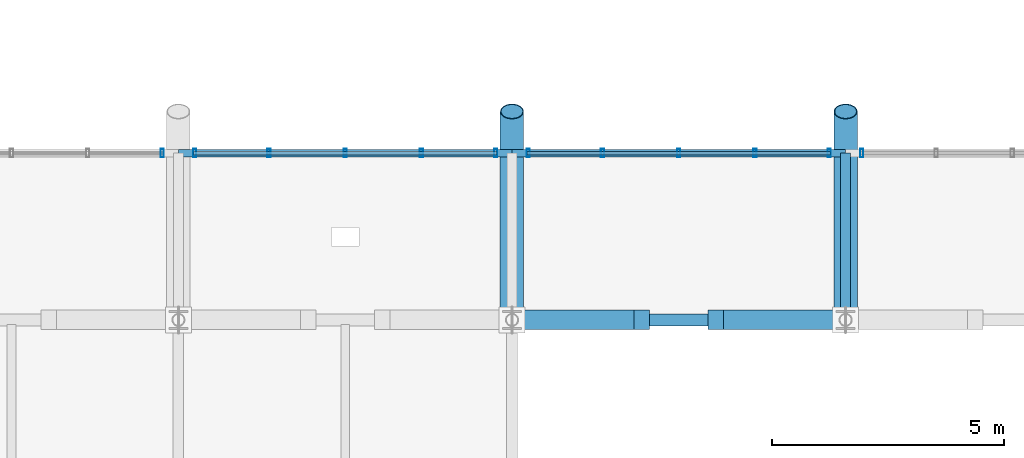
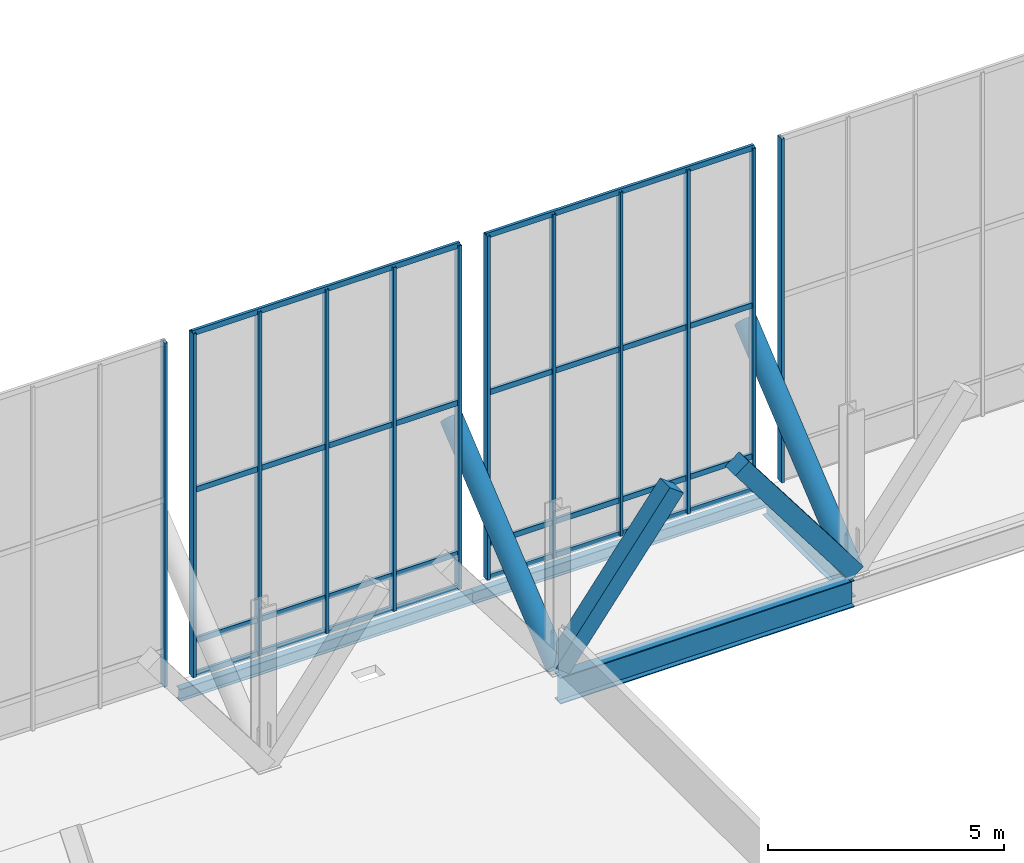
# One storey, part 27 of 102: 24 members, 4 beams, 4 elements without a shape of their own.
"""IFC4 building model written with IfcOpenShell, lengths in metres."""

from ifc_helpers import new_model, si_unit, direction, frame, origin, origin_2d, place, context, subcontext, project, spatial, rectangle, hollow_rectangle, hollow_circle, i_section, extrude, material, material_profile, profile_set, type_object, element, aggregate, save


model = new_model("IFC4")

# Units and contexts
model_context = context("Model", 3, precision=1e-05, world=origin(), true_north=direction((0.0, 1.0)))
body_context = subcontext(model_context, "Body", "Model", "MODEL_VIEW")
ifc_project = project(units=[si_unit("LENGTHUNIT", "METRE"), si_unit("AREAUNIT", "SQUARE_METRE"), si_unit("VOLUMEUNIT", "CUBIC_METRE"), si_unit("PLANEANGLEUNIT", "RADIAN"), si_unit("MASSUNIT", "GRAM", prefix="KILO")], contexts=[model_context])

# Site, building, storey
site_placement = place(None, origin())
site = spatial("IfcSite", under=ifc_project, at=site_placement, CompositionType="ELEMENT")
building_placement = place(site_placement, origin())
building = spatial("IfcBuilding", under=site, at=building_placement, Name="Yarey Park Central Fire Station", CompositionType="ELEMENT")
storey_placement = place(building_placement, frame((0.0, 0.0, 6.0)))
storey = spatial("IfcBuildingStorey", under=building, at=storey_placement, Name="L02", CompositionType="ELEMENT", Elevation=6.0)

# Curtain wall, member
ifc_material_1 = material(Name="Anodized Aluminium Frame", Category="aluminium")
curtain_wall_type = type_object("IfcCurtainWallType", Name="ENV_CW_CLER_9M", PredefinedType="NOTDEFINED", material=ifc_material_1)
curtain_wall_1_placement = place(storey_placement, origin())
curtain_wall_1 = element("IfcCurtainWall", 1, at=curtain_wall_1_placement, inside=storey, type_object=curtain_wall_type, Name="CW_V2_CLER_S_01", PredefinedType="NOTDEFINED")
ifc_material_profile_1 = material_profile(ifc_material_1, hollow_rectangle(XDim=0.070068359375, YDim=0.179931640625, WallThickness=0.00390625, at=origin_2d()), Name="ALU 180x70x4")
ifc_profile_set_1 = profile_set([ifc_material_profile_1], Name="Anodized Aluminium Frame")
member_type_1 = type_object("IfcMemberType", Name="ENV_CW_MULLION", PredefinedType="MULLION", material=ifc_profile_set_1)
member_1_placement = place(storey_placement, frame((64.449951171875, 61.199951171875, 0.0), z_axis=(0.0, 0.0, 1.0), x_axis=(1.0, 0.0, 0.0)))
member_1 = element("IfcMember", 2, at=member_1_placement, type_object=member_type_1, Name="CW_V2_CLER_S_01_MUL5", PredefinedType="MULLION", context=body_context, shape_type="SweptSolid", body=[
    extrude(hollow_rectangle(XDim=0.070068359375, YDim=0.179931640625, WallThickness=0.00390625, at=origin_2d()), origin(), (0.0, 0.0, 1.0), 8.89990234375),
])
aggregate(curtain_wall_1, [member_1])

# Curtain wall, members
curtain_wall_2_placement = place(storey_placement, origin())
curtain_wall_2 = element("IfcCurtainWall", 3, at=curtain_wall_2_placement, inside=storey, type_object=curtain_wall_type, Name="CW_V2_CLER_S_02", PredefinedType="NOTDEFINED")
member_2_placement = place(storey_placement, frame((65.14990234375, 61.199951171875, 0.0), z_axis=(0.0, 0.0, 1.0), x_axis=(1.0, 0.0, 0.0)))
member_2 = element("IfcMember", 4, at=member_2_placement, type_object=member_type_1, Name="CW_V2_CLER_S_02_MUL1", PredefinedType="MULLION", context=body_context, shape_type="SweptSolid", body=[
    extrude(hollow_rectangle(XDim=0.070068359375, YDim=0.179931640625, WallThickness=0.00390625, at=origin_2d()), origin(), (0.0, 0.0, 1.0), 8.89990234375),
])
member_3_placement = place(storey_placement, frame((66.7548828125, 61.199951171875, 0.0), z_axis=(0.0, 0.0, 1.0), x_axis=(1.0, 0.0, 0.0)))
member_3 = element("IfcMember", 5, at=member_3_placement, type_object=member_type_1, Name="CW_V2_CLER_S_02_MUL2", PredefinedType="MULLION", context=body_context, shape_type="SweptSolid", body=[
    extrude(hollow_rectangle(XDim=0.070068359375, YDim=0.179931640625, WallThickness=0.00390625, at=origin_2d()), origin(), (0.0, 0.0, 1.0), 8.89990234375),
])
member_4_placement = place(storey_placement, frame((68.39990234375, 61.199951171875, 0.0), z_axis=(0.0, 0.0, 1.0), x_axis=(1.0, 0.0, 0.0)))
member_4 = element("IfcMember", 6, at=member_4_placement, type_object=member_type_1, Name="CW_V2_CLER_S_02_MUL3", PredefinedType="MULLION", context=body_context, shape_type="SweptSolid", body=[
    extrude(hollow_rectangle(XDim=0.070068359375, YDim=0.179931640625, WallThickness=0.00390625, at=origin_2d()), origin(), (0.0, 0.0, 1.0), 8.89990234375),
])
member_5_placement = place(storey_placement, frame((70.044921875, 61.199951171875, 0.0), z_axis=(0.0, 0.0, 1.0), x_axis=(1.0, 0.0, 0.0)))
member_5 = element("IfcMember", 7, at=member_5_placement, type_object=member_type_1, Name="CW_V2_CLER_S_02_MUL4", PredefinedType="MULLION", context=body_context, shape_type="SweptSolid", body=[
    extrude(hollow_rectangle(XDim=0.070068359375, YDim=0.179931640625, WallThickness=0.00390625, at=origin_2d()), origin(), (0.0, 0.0, 1.0), 8.89990234375),
])
member_6_placement = place(storey_placement, frame((71.64990234375, 61.199951171875, 0.0), z_axis=(0.0, 0.0, 1.0), x_axis=(1.0, 0.0, 0.0)))
member_6 = element("IfcMember", 8, at=member_6_placement, type_object=member_type_1, Name="CW_V2_CLER_S_02_MUL5", PredefinedType="MULLION", context=body_context, shape_type="SweptSolid", body=[
    extrude(hollow_rectangle(XDim=0.070068359375, YDim=0.179931640625, WallThickness=0.00390625, at=origin_2d()), origin(), (0.0, 0.0, 1.0), 8.89990234375),
])

curtain_wall_3_placement = place(storey_placement, origin())
curtain_wall_3 = element("IfcCurtainWall", 9, at=curtain_wall_3_placement, inside=storey, type_object=curtain_wall_type, Name="CW_V2_CLER_S_03", PredefinedType="NOTDEFINED")
member_7_placement = place(storey_placement, frame((72.35009765625, 61.199951171875, 0.0), z_axis=(0.0, 0.0, 1.0), x_axis=(1.0, 0.0, 0.0)))
member_7 = element("IfcMember", 10, at=member_7_placement, type_object=member_type_1, Name="CW_V2_CLER_S_03_MUL1", PredefinedType="MULLION", context=body_context, shape_type="SweptSolid", body=[
    extrude(hollow_rectangle(XDim=0.070068359375, YDim=0.179931640625, WallThickness=0.00390625, at=origin_2d()), origin(), (0.0, 0.0, 1.0), 8.89990234375),
])
member_8_placement = place(storey_placement, frame((73.955078125, 61.199951171875, 0.0), z_axis=(0.0, 0.0, 1.0), x_axis=(1.0, 0.0, 0.0)))
member_8 = element("IfcMember", 11, at=member_8_placement, type_object=member_type_1, Name="CW_V2_CLER_S_03_MUL2", PredefinedType="MULLION", context=body_context, shape_type="SweptSolid", body=[
    extrude(hollow_rectangle(XDim=0.070068359375, YDim=0.179931640625, WallThickness=0.00390625, at=origin_2d()), origin(), (0.0, 0.0, 1.0), 8.89990234375),
])
member_9_placement = place(storey_placement, frame((75.60009765625, 61.199951171875, 0.0), z_axis=(0.0, 0.0, 1.0), x_axis=(1.0, 0.0, 0.0)))
member_9 = element("IfcMember", 12, at=member_9_placement, type_object=member_type_1, Name="CW_V2_CLER_S_03_MUL3", PredefinedType="MULLION", context=body_context, shape_type="SweptSolid", body=[
    extrude(hollow_rectangle(XDim=0.070068359375, YDim=0.179931640625, WallThickness=0.00390625, at=origin_2d()), origin(), (0.0, 0.0, 1.0), 8.89990234375),
])
member_10_placement = place(storey_placement, frame((77.2451171875, 61.199951171875, 0.0), z_axis=(0.0, 0.0, 1.0), x_axis=(1.0, 0.0, 0.0)))
member_10 = element("IfcMember", 13, at=member_10_placement, type_object=member_type_1, Name="CW_V2_CLER_S_03_MUL4", PredefinedType="MULLION", context=body_context, shape_type="SweptSolid", body=[
    extrude(hollow_rectangle(XDim=0.070068359375, YDim=0.179931640625, WallThickness=0.00390625, at=origin_2d()), origin(), (0.0, 0.0, 1.0), 8.89990234375),
])
member_11_placement = place(storey_placement, frame((78.85009765625, 61.199951171875, 0.0), z_axis=(0.0, 0.0, 1.0), x_axis=(1.0, 0.0, 0.0)))
member_11 = element("IfcMember", 14, at=member_11_placement, type_object=member_type_1, Name="CW_V2_CLER_S_03_MUL5", PredefinedType="MULLION", context=body_context, shape_type="SweptSolid", body=[
    extrude(hollow_rectangle(XDim=0.070068359375, YDim=0.179931640625, WallThickness=0.00390625, at=origin_2d()), origin(), (0.0, 0.0, 1.0), 8.89990234375),
])

# Curtain wall, member
curtain_wall_4_placement = place(storey_placement, origin())
curtain_wall_4 = element("IfcCurtainWall", 15, at=curtain_wall_4_placement, inside=storey, type_object=curtain_wall_type, Name="CW_V2_CLER_S_04", PredefinedType="NOTDEFINED")
member_12_placement = place(storey_placement, frame((79.550048828125, 61.199951171875, 0.0), z_axis=(0.0, 0.0, 1.0), x_axis=(1.0, 0.0, 0.0)))
member_12 = element("IfcMember", 16, at=member_12_placement, type_object=member_type_1, Name="CW_V2_CLER_S_04_MUL1", PredefinedType="MULLION", context=body_context, shape_type="SweptSolid", body=[
    extrude(hollow_rectangle(XDim=0.070068359375, YDim=0.179931640625, WallThickness=0.00390625, at=origin_2d()), origin(), (0.0, 0.0, 1.0), 8.89990234375),
])
aggregate(curtain_wall_4, [member_12])

# Member
ifc_material_profile_2 = material_profile(ifc_material_1, hollow_rectangle(XDim=0.070068359375, YDim=0.139892578125, WallThickness=0.00390625, at=origin_2d()), Name="ALU 140x70x4")
ifc_profile_set_2 = profile_set([ifc_material_profile_2], Name="Anodized Aluminium Frame")
member_type_2 = type_object("IfcMemberType", Name="ENV_CW_TRANSOM", PredefinedType="USERDEFINED", material=ifc_profile_set_2)
member_13_placement = place(storey_placement, frame((65.125, 61.199951171875, 0.02490234375), z_axis=(1.0, 0.0, 0.0), x_axis=(0.0, 1.0, 0.0)))
member_13 = element("IfcMember", 17, at=member_13_placement, type_object=member_type_2, Name="CW_V2_CLER_S_02_TRN1", ObjectType="TRANSOM", PredefinedType="USERDEFINED", context=body_context, shape_type="SweptSolid", body=[
    extrude(hollow_rectangle(XDim=0.070068359375, YDim=0.139892578125, WallThickness=0.00390625, at=origin_2d()), origin(), (0.0, 0.0, 1.0), 6.550048828125),
])

member_14_placement = place(storey_placement, frame((65.125, 61.199951171875, 0.89990234375), z_axis=(1.0, 0.0, 0.0), x_axis=(0.0, 1.0, 0.0)))
member_14 = element("IfcMember", 18, at=member_14_placement, type_object=member_type_2, Name="CW_V2_CLER_S_02_TRN2", ObjectType="TRANSOM", PredefinedType="USERDEFINED", context=body_context, shape_type="SweptSolid", body=[
    extrude(hollow_rectangle(XDim=0.070068359375, YDim=0.139892578125, WallThickness=0.00390625, at=origin_2d()), origin(), (0.0, 0.0, 1.0), 6.550048828125),
])

member_15_placement = place(storey_placement, frame((65.125, 61.199951171875, 4.805908203125), z_axis=(1.0, 0.0, 0.0), x_axis=(0.0, 1.0, 0.0)))
member_15 = element("IfcMember", 19, at=member_15_placement, type_object=member_type_2, Name="CW_V2_CLER_S_02_TRN3", ObjectType="TRANSOM", PredefinedType="USERDEFINED", context=body_context, shape_type="SweptSolid", body=[
    extrude(hollow_rectangle(XDim=0.070068359375, YDim=0.139892578125, WallThickness=0.00390625, at=origin_2d()), origin(), (0.0, 0.0, 1.0), 6.550048828125),
])

member_16_placement = place(storey_placement, frame((65.125, 61.199951171875, 8.875), z_axis=(1.0, 0.0, 0.0), x_axis=(0.0, 1.0, 0.0)))
member_16 = element("IfcMember", 20, at=member_16_placement, type_object=member_type_2, Name="CW_V2_CLER_S_02_TRN4", ObjectType="TRANSOM", PredefinedType="USERDEFINED", context=body_context, shape_type="SweptSolid", body=[
    extrude(hollow_rectangle(XDim=0.070068359375, YDim=0.139892578125, WallThickness=0.00390625, at=origin_2d()), origin(), (0.0, 0.0, 1.0), 6.550048828125),
])

aggregate(curtain_wall_2, [member_2, member_3, member_4, member_5, member_6, member_13, member_14, member_15, member_16])

member_17_placement = place(storey_placement, frame((72.324951171875, 61.199951171875, 0.02490234375), z_axis=(1.0, 0.0, 0.0), x_axis=(0.0, 1.0, 0.0)))
member_17 = element("IfcMember", 21, at=member_17_placement, type_object=member_type_2, Name="CW_V2_CLER_S_03_TRN1", ObjectType="TRANSOM", PredefinedType="USERDEFINED", context=body_context, shape_type="SweptSolid", body=[
    extrude(hollow_rectangle(XDim=0.070068359375, YDim=0.139892578125, WallThickness=0.00390625, at=origin_2d()), origin(), (0.0, 0.0, 1.0), 6.550048828125),
])

member_18_placement = place(storey_placement, frame((72.324951171875, 61.199951171875, 0.89990234375), z_axis=(1.0, 0.0, 0.0), x_axis=(0.0, 1.0, 0.0)))
member_18 = element("IfcMember", 22, at=member_18_placement, type_object=member_type_2, Name="CW_V2_CLER_S_03_TRN2", ObjectType="TRANSOM", PredefinedType="USERDEFINED", context=body_context, shape_type="SweptSolid", body=[
    extrude(hollow_rectangle(XDim=0.070068359375, YDim=0.139892578125, WallThickness=0.00390625, at=origin_2d()), origin(), (0.0, 0.0, 1.0), 6.550048828125),
])

member_19_placement = place(storey_placement, frame((72.324951171875, 61.199951171875, 4.805908203125), z_axis=(1.0, 0.0, 0.0), x_axis=(0.0, 1.0, 0.0)))
member_19 = element("IfcMember", 23, at=member_19_placement, type_object=member_type_2, Name="CW_V2_CLER_S_03_TRN3", ObjectType="TRANSOM", PredefinedType="USERDEFINED", context=body_context, shape_type="SweptSolid", body=[
    extrude(hollow_rectangle(XDim=0.070068359375, YDim=0.139892578125, WallThickness=0.00390625, at=origin_2d()), origin(), (0.0, 0.0, 1.0), 6.550048828125),
])

member_20_placement = place(storey_placement, frame((72.324951171875, 61.199951171875, 8.875), z_axis=(1.0, 0.0, 0.0), x_axis=(0.0, 1.0, 0.0)))
member_20 = element("IfcMember", 24, at=member_20_placement, type_object=member_type_2, Name="CW_V2_CLER_S_03_TRN4", ObjectType="TRANSOM", PredefinedType="USERDEFINED", context=body_context, shape_type="SweptSolid", body=[
    extrude(hollow_rectangle(XDim=0.070068359375, YDim=0.139892578125, WallThickness=0.00390625, at=origin_2d()), origin(), (0.0, 0.0, 1.0), 6.550048828125),
])

aggregate(curtain_wall_3, [member_7, member_8, member_9, member_10, member_11, member_17, member_18, member_19, member_20])

# Beams
ifc_material_2 = material(Name="Steel ASTM A992 Gr. 50", Category="steel")
ifc_material_profile_3 = material_profile(ifc_material_2, i_section(OverallWidth=0.208984375, OverallDepth=0.532958984375, WebThickness=0.01025390625, FlangeThickness=0.015625, at=origin_2d()), Name="W530x92")
ifc_profile_set_3 = profile_set([ifc_material_profile_3], Name="Steel ASTM A992 Gr. 50")
beam_type_1 = type_object("IfcBeamType", Name="STR_BM_W530", PredefinedType="BEAM", material=ifc_profile_set_3)
beam_1_placement = place(storey_placement, frame((79.199951171875, 57.60009765625, -0.46142578125), z_axis=(0.0, 1.0, 0.0), x_axis=(-1.0, 0.0, 0.0)))
element("IfcBeam", 25, at=beam_1_placement, inside=storey, type_object=beam_type_1, Name="EAVE RIB S 03", PredefinedType="BEAM", context=body_context, shape_type="SweptSolid", body=[
    extrude(i_section(OverallWidth=0.208984375, OverallDepth=0.532958984375, WebThickness=0.01025390625, FlangeThickness=0.015625, at=origin_2d()), origin(), (0.0, 0.0, 1.0), 3.599853515625),
])
ifc_material_profile_4 = material_profile(ifc_material_2, i_section(OverallWidth=0.256103515625, OverallDepth=0.693115234375, WebThickness=0.014404296875, FlangeThickness=0.023681640625, at=origin_2d()), Name="W690x170")
ifc_profile_set_4 = profile_set([ifc_material_profile_4], Name="Steel ASTM A992 Gr. 50")
beam_type_2 = type_object("IfcBeamType", Name="STR_BM_W690", PredefinedType="BEAM", material=ifc_profile_set_4)
beam_2_placement = place(storey_placement, frame((72.0, 57.60009765625, -0.54150390625), z_axis=(1.0, 0.0, 0.0), x_axis=(0.0, 1.0, 0.0)))
element("IfcBeam", 26, at=beam_2_placement, inside=storey, type_object=beam_type_2, Name="BMX L02 Y576 X720", PredefinedType="BEAM", context=body_context, shape_type="SweptSolid", body=[
    extrude(i_section(OverallWidth=0.256103515625, OverallDepth=0.693115234375, WebThickness=0.014404296875, FlangeThickness=0.023681640625, at=origin_2d()), origin(), (0.0, 0.0, 1.0), 7.199951171875),
])

# Members
ifc_material_3 = material(Name="Steel ASTM A500 Gr. C", Category="steel")
ifc_material_profile_5 = material_profile(ifc_material_3, hollow_circle(Radius=0.25390625, WallThickness=0.02001953125, at=origin_2d()), Name="CHS 508x20")
ifc_profile_set_5 = profile_set([ifc_material_profile_5], Name="Steel ASTM A500 Gr. C")
member_type_3 = type_object("IfcMemberType", Name="STR_CHORD_CHS508", PredefinedType="CHORD", material=ifc_profile_set_5)
for number, where, z_axis, x_axis, name in (
    (27, (72.0, 57.60009765625, 0.0), (0.0, 0.770847459396, 0.637019775473), (-1.0, 0.0, 0.0), "Arched Roof Truss ART_03 Bottom Chord 1"),
    (28, (79.199951171875, 57.60009765625, 0.0), (0.0, 0.770847459396, 0.637019775473), (-1.0, 0.0, 0.0), "Arched Roof Truss ART_04 Bottom Chord 1"),
):
    element("IfcMember", number, at=place(storey_placement, frame(where, z_axis=z_axis, x_axis=x_axis)), inside=storey, type_object=member_type_3, Name=name, PredefinedType="CHORD", context=body_context, shape_type="SweptSolid", body=[
        extrude(hollow_circle(Radius=0.25390625, WallThickness=0.02001953125, at=origin_2d()), origin(), (0.0, 0.0, 1.0), 5.837646484375),
    ])

# Beams
ifc_material_profile_6 = material_profile(ifc_material_2, i_section(OverallWidth=0.1650390625, OverallDepth=0.31005859375, WebThickness=0.005859375, FlangeThickness=0.009765625, at=origin_2d()), Name="W310x39")
ifc_profile_set_6 = profile_set([ifc_material_profile_6], Name="Steel ASTM A992 Gr. 50")
beam_type_3 = type_object("IfcBeamType", Name="STR_SPN_W310", PredefinedType="SPANDREL", material=ifc_profile_set_6)
for number, where, z_axis, x_axis, name in (
    (29, (64.800048828125, 61.199951171875, -0.35009765625), (1.0, 0.0, 0.0), (0.0, 1.0, 0.0), "EAVE EDG S 01"),
    (30, (72.0, 61.199951171875, -0.35009765625), (1.0, 0.0, 0.0), (0.0, 1.0, 0.0), "EAVE EDG S 02"),
):
    element("IfcBeam", number, at=place(storey_placement, frame(where, z_axis=z_axis, x_axis=x_axis)), inside=storey, type_object=beam_type_3, Name=name, PredefinedType="SPANDREL", context=body_context, shape_type="SweptSolid", body=[
        extrude(i_section(OverallWidth=0.1650390625, OverallDepth=0.31005859375, WebThickness=0.005859375, FlangeThickness=0.009765625, at=origin_2d()), origin(), (0.0, 0.0, 1.0), 7.199951171875),
    ])

# Members
ifc_material_4 = material(Name="Glulam GL28h", Category="wood")
ifc_material_profile_7 = material_profile(ifc_material_4, rectangle(XDim=0.419921875, YDim=0.419921875, at=origin_2d()), Name="GL 420x420")
ifc_profile_set_7 = profile_set([ifc_material_profile_7], Name="Glulam GL28h")
member_type_4 = type_object("IfcMemberType", Name="STR_STRUT_GL420", PredefinedType="STRUT", material=ifc_profile_set_7)
for number, where, z_axis, x_axis, name in (
    (31, (72.0, 57.60009765625, 0.02001953125), (0.603454425048, 0.0, 0.797397489895), (0.0, 1.0, 0.0), "Raked Glulam Strut RGS-029"),
    (32, (79.199951171875, 57.60009765625, 0.02001953125), (-0.603454425048, 0.0, 0.797397489895), (0.0, -1.0, 0.0), "Raked Glulam Strut RGS-034"),
):
    element("IfcMember", number, at=place(storey_placement, frame(where, z_axis=z_axis, x_axis=x_axis)), inside=storey, type_object=member_type_4, Name=name, PredefinedType="STRUT", context=body_context, shape_type="SweptSolid", body=[
        extrude(rectangle(XDim=0.419921875, YDim=0.419921875, at=origin_2d()), origin(), (0.0, 0.0, 1.0), 4.64013671875),
    ])

save(model, "model.ifc")
